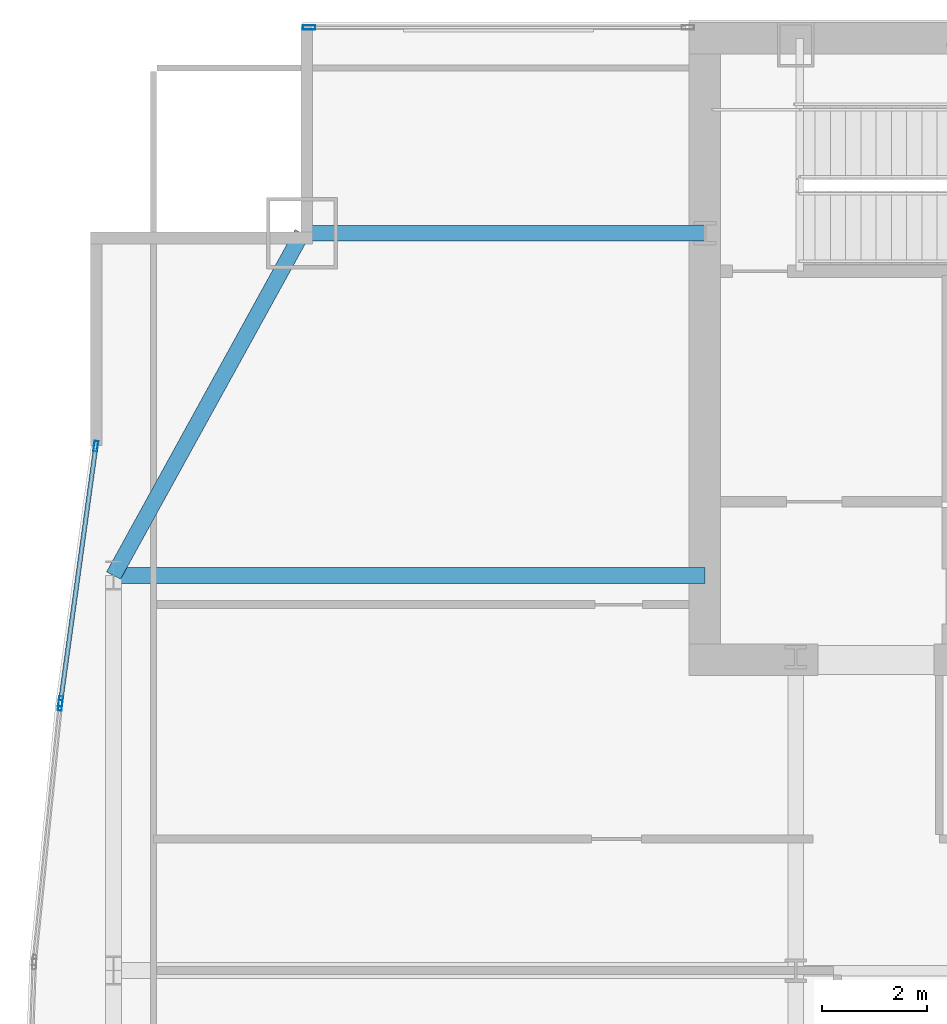
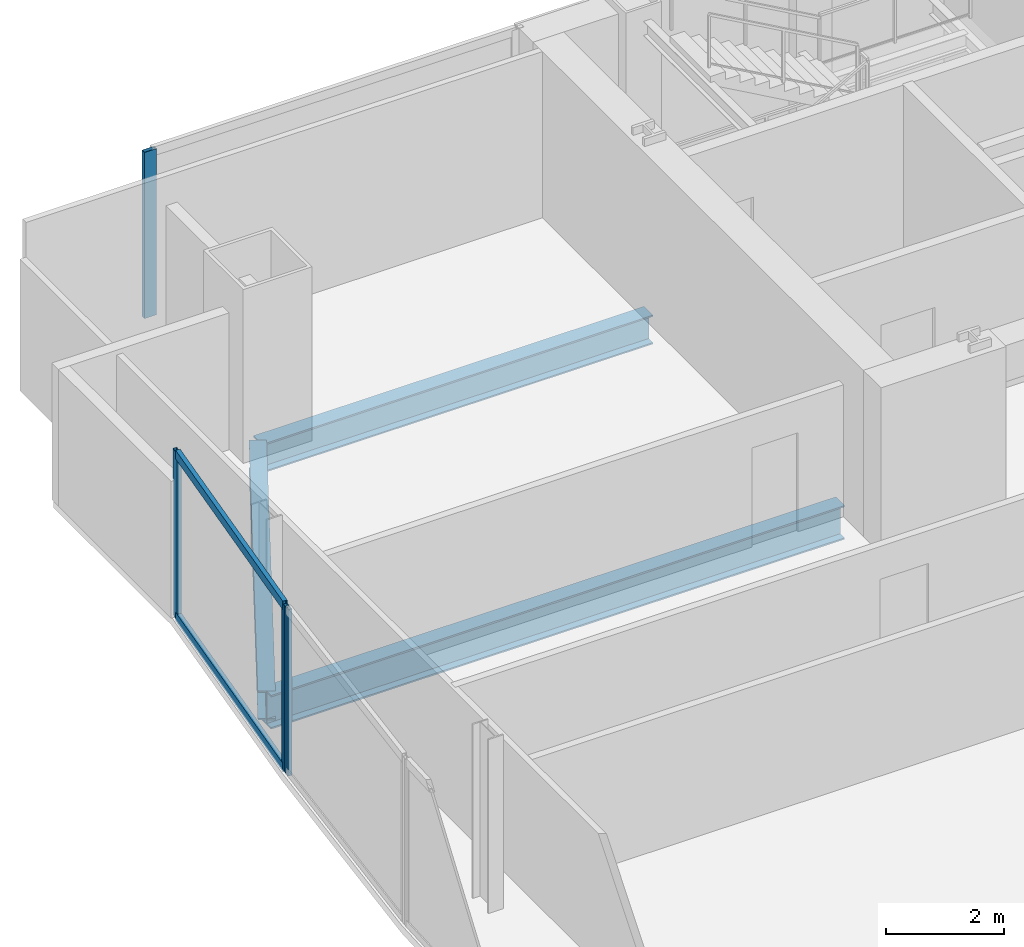
# One storey, part 17 of 29: 6 members, 3 beams, 3 elements without a shape of their own.
"""IFC4 building model written with IfcOpenShell, lengths in metres."""

from ifc_helpers import new_model, si_unit, direction, frame, origin, origin_2d, place, context, subcontext, project, spatial, hollow_rectangle, i_section, extrude, material, material_profile, profile_set, type_object, element, aggregate, save


model = new_model("IFC4")

# Units and contexts
model_context = context("Model", 3, precision=1e-05, world=origin(), true_north=direction((0.0, 1.0)))
body_context = subcontext(model_context, "Body", "Model", "MODEL_VIEW")
ifc_project = project(units=[si_unit("LENGTHUNIT", "METRE"), si_unit("AREAUNIT", "SQUARE_METRE"), si_unit("VOLUMEUNIT", "CUBIC_METRE"), si_unit("PLANEANGLEUNIT", "RADIAN"), si_unit("MASSUNIT", "GRAM", prefix="KILO")], contexts=[model_context])

# Site, building, storey
site_placement = place(None, origin())
site = spatial("IfcSite", under=ifc_project, at=site_placement, CompositionType="ELEMENT")
building_placement = place(site_placement, origin())
building = spatial("IfcBuilding", under=site, at=building_placement, Name="Khoronbel Lancet Exchange", CompositionType="ELEMENT")
storey_placement = place(building_placement, frame((0.0, 0.0, 177.0)))
storey = spatial("IfcBuildingStorey", under=building, at=storey_placement, Name="L44", CompositionType="ELEMENT", Elevation=177.0)

# Beams
ifc_material_1 = material(Name="Steel S355", Category="steel")
ifc_material_profile_1 = material_profile(ifc_material_1, i_section(OverallWidth=0.300048828125, OverallDepth=0.699951171875, WebThickness=0.01708984375, FlangeThickness=0.031982421875, at=origin_2d()), Name="HEB 700")
ifc_profile_set_1 = profile_set([ifc_material_profile_1], Name="Steel S355")
beam_type_1 = type_object("IfcBeamType", Name="BM-BG3", PredefinedType="BEAM", material=ifc_profile_set_1)
beam_1_placement = place(storey_placement, frame((5.27001953125, 43.199951171875, -0.510009765625), z_axis=(1.0, 0.0, 0.0), x_axis=(0.0, 1.0, 0.0)))
element("IfcBeam", 1, at=beam_1_placement, inside=storey, type_object=beam_type_1, Name="Level L44 west lens tie girder LG3W", PredefinedType="BEAM", context=body_context, shape_type="SweptSolid", body=[
    extrude(i_section(OverallWidth=0.300048828125, OverallDepth=0.699951171875, WebThickness=0.01708984375, FlangeThickness=0.031982421875, at=origin_2d()), origin(), (0.0, 0.0, 1.0), 11.22998046875),
])
ifc_material_profile_2 = material_profile(ifc_material_1, i_section(OverallWidth=0.300048828125, OverallDepth=0.60009765625, WebThickness=0.015380859375, FlangeThickness=0.030029296875, at=origin_2d()), Name="HEB 600")
ifc_profile_set_2 = profile_set([ifc_material_profile_2], Name="Steel S355")
beam_type_2 = type_object("IfcBeamType", Name="BM-BSP2", PredefinedType="SPANDREL", material=ifc_profile_set_2)
beam_2_placement = place(storey_placement, frame((8.85009765625, 49.699951171875, -0.4599609375), z_axis=(-0.482444051088, -0.875926787791, 0.0), x_axis=(0.875926787791, -0.482444051088, 0.0)))
element("IfcBeam", 2, at=beam_2_placement, inside=storey, type_object=beam_type_2, Name="Level L44 perimeter spandrel beam SP16", PredefinedType="SPANDREL", context=body_context, shape_type="SweptSolid", body=[
    extrude(i_section(OverallWidth=0.300048828125, OverallDepth=0.60009765625, WebThickness=0.015380859375, FlangeThickness=0.030029296875, at=origin_2d()), origin(), (0.0, 0.0, 1.0), 7.420654296875),
])
beam_3_placement = place(storey_placement, frame((8.85009765625, 49.699951171875, -0.4599609375), z_axis=(1.0, 0.0, 0.0), x_axis=(0.0, 1.0, 0.0)))
element("IfcBeam", 3, at=beam_3_placement, inside=storey, type_object=beam_type_2, Name="Level L44 north flank tie spandrel SP22", PredefinedType="SPANDREL", context=body_context, shape_type="SweptSolid", body=[
    extrude(i_section(OverallWidth=0.300048828125, OverallDepth=0.60009765625, WebThickness=0.015380859375, FlangeThickness=0.030029296875, at=origin_2d()), origin(), (0.0, 0.0, 1.0), 7.64990234375),
])

# Curtain wall, member
ifc_material_2 = material(Name="Low-E Solar Control Insulating Glass", Category="glass")
curtain_wall_type_1 = type_object("IfcCurtainWallType", Name="CW-3", PredefinedType="NOTDEFINED", material=ifc_material_2)
curtain_wall_1_placement = place(storey_placement, origin())
curtain_wall_1 = element("IfcCurtainWall", 4, at=curtain_wall_1_placement, inside=storey, type_object=curtain_wall_type_1, Name="Unitised curtain wall CW-L44-NWFLK", PredefinedType="NOTDEFINED")
ifc_material_3 = material(Name="Bronze-Anodised Aluminium 6063-T6", Category="aluminium")
ifc_material_profile_3 = material_profile(ifc_material_3, hollow_rectangle(XDim=0.0849609375, YDim=0.239990234375, WallThickness=0.006103515625, at=origin_2d()), Name="ALU MULLION 85x240")
ifc_profile_set_3 = profile_set([ifc_material_profile_3], Name="Bronze-Anodised Aluminium 6063-T6")
member_type_1 = type_object("IfcMemberType", Name="MEM-CWM1", PredefinedType="MULLION", material=ifc_profile_set_3)
member_1_placement = place(storey_placement, frame((8.982421875, 53.610107421875, 0.0), z_axis=(0.0, 0.0, 1.0), x_axis=(0.0, -1.0, 0.0)))
member_1 = element("IfcMember", 5, at=member_1_placement, type_object=member_type_1, Name="CW3 mullion 2", PredefinedType="MULLION", context=body_context, shape_type="SweptSolid", body=[
    extrude(hollow_rectangle(XDim=0.0849609375, YDim=0.239990234375, WallThickness=0.006103515625, at=origin_2d()), origin(), (0.0, 0.0, 1.0), 3.43994140625),
])
aggregate(curtain_wall_1, [member_1])

curtain_wall_type_2 = type_object("IfcCurtainWallType", Name="CW-4", PredefinedType="NOTDEFINED", material=ifc_material_2)
curtain_wall_2_placement = place(storey_placement, origin())
curtain_wall_2 = element("IfcCurtainWall", 6, at=curtain_wall_2_placement, inside=storey, type_object=curtain_wall_type_2, Name="Unitised curtain wall CW-L44-E08", PredefinedType="NOTDEFINED")
ifc_material_profile_4 = material_profile(ifc_material_3, hollow_rectangle(XDim=0.074951171875, YDim=0.199951171875, WallThickness=0.0048828125, at=origin_2d()), Name="ALU MULLION 75x200")
ifc_profile_set_4 = profile_set([ifc_material_profile_4], Name="Bronze-Anodised Aluminium 6063-T6")
member_type_2 = type_object("IfcMemberType", Name="MEM-CWM2", PredefinedType="MULLION", material=ifc_profile_set_4)
member_2_placement = place(storey_placement, frame((4.258056640625, 40.7353515625, 0.0), z_axis=(0.0, 0.0, 1.0), x_axis=(-0.994946738202, 0.10040412412, 0.0)))
member_2 = element("IfcMember", 7, at=member_2_placement, type_object=member_type_2, Name="CW4 mullion 2", PredefinedType="MULLION", context=body_context, shape_type="SweptSolid", body=[
    extrude(hollow_rectangle(XDim=0.074951171875, YDim=0.199951171875, WallThickness=0.0048828125, at=origin_2d()), origin(), (0.0, 0.0, 1.0), 3.43994140625),
])
aggregate(curtain_wall_2, [member_2])

# Curtain wall, members
curtain_wall_3_placement = place(storey_placement, origin())
curtain_wall_3 = element("IfcCurtainWall", 8, at=curtain_wall_3_placement, inside=storey, type_object=curtain_wall_type_2, Name="Unitised curtain wall CW-L44-E09", PredefinedType="NOTDEFINED")
member_3_placement = place(storey_placement, frame((4.266845703125, 40.809814453125, 0.0), z_axis=(0.0, 0.0, 1.0), x_axis=(-0.990634372292, 0.136541350639, 0.0)))
member_3 = element("IfcMember", 9, at=member_3_placement, type_object=member_type_2, Name="CW4 mullion 1", PredefinedType="MULLION", context=body_context, shape_type="SweptSolid", body=[
    extrude(hollow_rectangle(XDim=0.074951171875, YDim=0.199951171875, WallThickness=0.0048828125, at=origin_2d()), origin(), (0.0, 0.0, 1.0), 3.43994140625),
])
member_4_placement = place(storey_placement, frame((4.934814453125, 45.65673828125, 0.0), z_axis=(0.0, 0.0, 1.0), x_axis=(-0.990634372292, 0.136541350639, 0.0)))
member_4 = element("IfcMember", 10, at=member_4_placement, type_object=member_type_2, Name="CW4 mullion 2", PredefinedType="MULLION", context=body_context, shape_type="SweptSolid", body=[
    extrude(hollow_rectangle(XDim=0.074951171875, YDim=0.199951171875, WallThickness=0.0048828125, at=origin_2d()), origin(), (0.0, 0.0, 1.0), 3.43994140625),
])
ifc_material_profile_5 = material_profile(ifc_material_3, hollow_rectangle(XDim=0.0849609375, YDim=0.179931640625, WallThickness=0.0048828125, at=origin_2d()), Name="ALU TRANSOM 85x180")
ifc_profile_set_5 = profile_set([ifc_material_profile_5], Name="Bronze-Anodised Aluminium 6063-T6")
member_type_3 = type_object("IfcMemberType", Name="MEM-CWT1", PredefinedType="USERDEFINED", material=ifc_profile_set_5)
member_5_placement = place(storey_placement, frame((4.27197265625, 40.846923828125, 0.04248046875), z_axis=(0.136524215328, 0.990636733939, 0.0), x_axis=(-0.990636733939, 0.136524215328, 0.0)))
member_5 = element("IfcMember", 11, at=member_5_placement, type_object=member_type_3, Name="CW4 transom 1.1", ObjectType="TRANSOM", PredefinedType="USERDEFINED", context=body_context, shape_type="SweptSolid", body=[
    extrude(hollow_rectangle(XDim=0.0849609375, YDim=0.179931640625, WallThickness=0.0048828125, at=origin_2d()), origin(), (0.0, 0.0, 1.0), 4.817626953125),
])
member_6_placement = place(storey_placement, frame((4.27197265625, 40.846923828125, 3.3974609375), z_axis=(0.136524215328, 0.990636733939, 0.0), x_axis=(-0.990636733939, 0.136524215328, 0.0)))
member_6 = element("IfcMember", 12, at=member_6_placement, type_object=member_type_3, Name="CW4 transom 1.2", ObjectType="TRANSOM", PredefinedType="USERDEFINED", context=body_context, shape_type="SweptSolid", body=[
    extrude(hollow_rectangle(XDim=0.0849609375, YDim=0.179931640625, WallThickness=0.0048828125, at=origin_2d()), origin(), (0.0, 0.0, 1.0), 4.817626953125),
])
aggregate(curtain_wall_3, [member_3, member_4, member_5, member_6])

save(model, "model.ifc")
